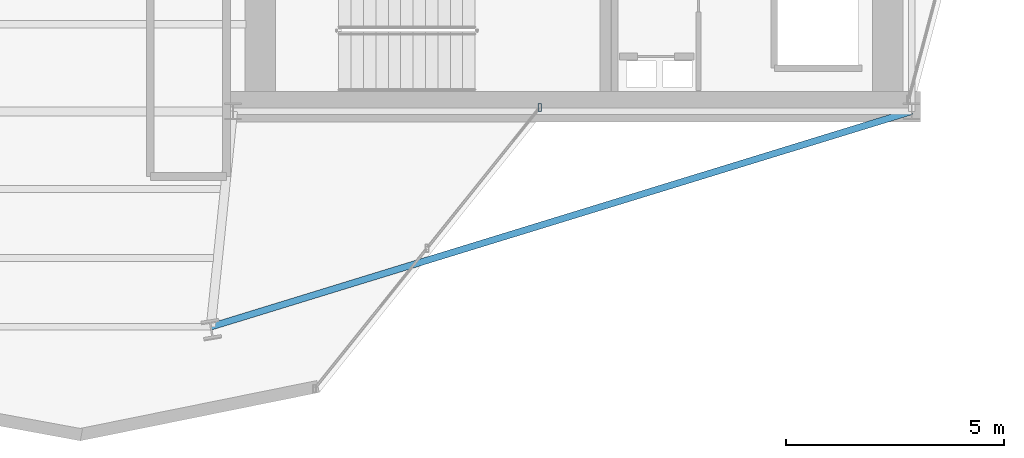
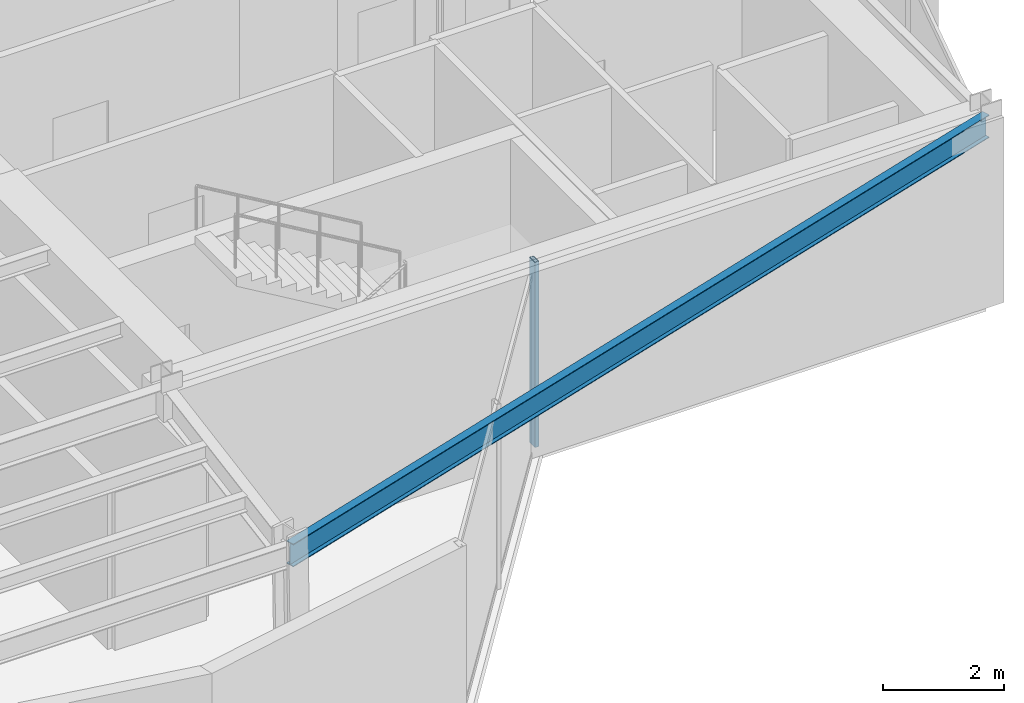
# One storey, part 6 of 23: 1 beam, 1 member, 1 element without a shape of its own.
"""IFC4 building model written with IfcOpenShell, lengths in metres."""

from ifc_helpers import new_model, si_unit, direction, frame, origin, origin_2d, place, context, subcontext, project, spatial, hollow_rectangle, i_section, extrude, material, layer, layer_set, material_profile, profile_set, type_object, element, aggregate, save


model = new_model("IFC4")

# Units and contexts
model_context = context("Model", 3, precision=1e-05, world=origin(), true_north=direction((0.0, 1.0)))
body_context = subcontext(model_context, "Body", "Model", "MODEL_VIEW")
ifc_project = project(units=[si_unit("LENGTHUNIT", "METRE"), si_unit("AREAUNIT", "SQUARE_METRE"), si_unit("VOLUMEUNIT", "CUBIC_METRE"), si_unit("PLANEANGLEUNIT", "RADIAN"), si_unit("MASSUNIT", "GRAM", prefix="KILO")], contexts=[model_context])

# Site, building, storey
site_placement = place(None, origin())
site = spatial("IfcSite", under=ifc_project, at=site_placement, CompositionType="ELEMENT")
building_placement = place(site_placement, origin())
building = spatial("IfcBuilding", under=site, at=building_placement, Name="Veymaron Broadcast Tower", CompositionType="ELEMENT")
storey_placement = place(building_placement, frame((0.0, 0.0, 252.60009765625)))
storey = spatial("IfcBuildingStorey", under=building, at=storey_placement, Name="L59", CompositionType="ELEMENT", Elevation=252.60009765625)

# Beam
ifc_material_1 = material(Name="Structural steel ASTM A992 Gr 50", Category="steel")
ifc_material_profile_1 = material_profile(ifc_material_1, i_section(OverallWidth=0.154052734375, OverallDepth=0.458984375, WebThickness=0.009033203125, FlangeThickness=0.015380859375, at=origin_2d()), Name="W460X68")
ifc_profile_set_1 = profile_set([ifc_material_profile_1], Name="Structural steel ASTM A992 Gr 50")
beam_type = type_object("IfcBeamType", Name="BM-SP2", PredefinedType="SPANDREL", material=ifc_profile_set_1)
beam_placement = place(storey_placement, frame((54.60009765625, 16.0, 3.50048828125), z_axis=(-0.955853215555, -0.293844568289, 0.0), x_axis=(0.293844568289, -0.955853215555, 0.0)))
element("IfcBeam", 1, at=beam_placement, inside=storey, type_object=beam_type, Name="L59 primary structural floor girder", PredefinedType="SPANDREL", context=body_context, shape_type="SweptSolid", body=[
    extrude(i_section(OverallWidth=0.154052734375, OverallDepth=0.458984375, WebThickness=0.009033203125, FlangeThickness=0.015380859375, at=origin_2d()), origin(), (0.0, 0.0, 1.0), 16.85205078125),
])

# Curtain wall, member
ifc_material_2 = material(Name="Anodised aluminium AA 6063-T6 and laminated low-E dark glass", Category="aluminium")
ifc_layer = layer(ifc_material_2, 0.179931640625)
ifc_layer_set = layer_set([ifc_layer], Name="Anodised aluminium AA 6063-T6 and laminated low-E dark glass")
curtain_wall_type = type_object("IfcCurtainWallType", Name="CW-SYS-05", PredefinedType="NOTDEFINED", material=ifc_layer_set)
curtain_wall_placement = place(storey_placement, origin())
curtain_wall = element("IfcCurtainWall", 2, at=curtain_wall_placement, inside=storey, type_object=curtain_wall_type, Name="L59 dark-glass curtain wall CW-L59-E20-1", PredefinedType="NOTDEFINED")
ifc_material_3 = material(Name="Anodised aluminium AA 6063-T6", Category="aluminium")
ifc_material_profile_2 = material_profile(ifc_material_3, hollow_rectangle(XDim=0.074951171875, YDim=0.179931640625, WallThickness=0.0048828125, at=origin_2d()), Name="AL180X75X5")
ifc_profile_set_2 = profile_set([ifc_material_profile_2], Name="Anodised aluminium AA 6063-T6")
member_type = type_object("IfcMemberType", Name="CW-MUL-02", PredefinedType="MULLION", material=ifc_profile_set_2)
member_placement = place(storey_placement, frame((46.050048828125, 16.08740234375, 0.0), z_axis=(0.0, 0.0, 1.0), x_axis=(1.0, 0.0, 0.0)))
member = element("IfcMember", 3, at=member_placement, type_object=member_type, Name="CW-L59-E20-1 mullion 2", PredefinedType="MULLION", context=body_context, shape_type="SweptSolid", body=[
    extrude(hollow_rectangle(XDim=0.074951171875, YDim=0.179931640625, WallThickness=0.0048828125, at=origin_2d()), origin(), (0.0, 0.0, 1.0), 3.72998046875),
])
aggregate(curtain_wall, [member])

save(model, "model.ifc")
